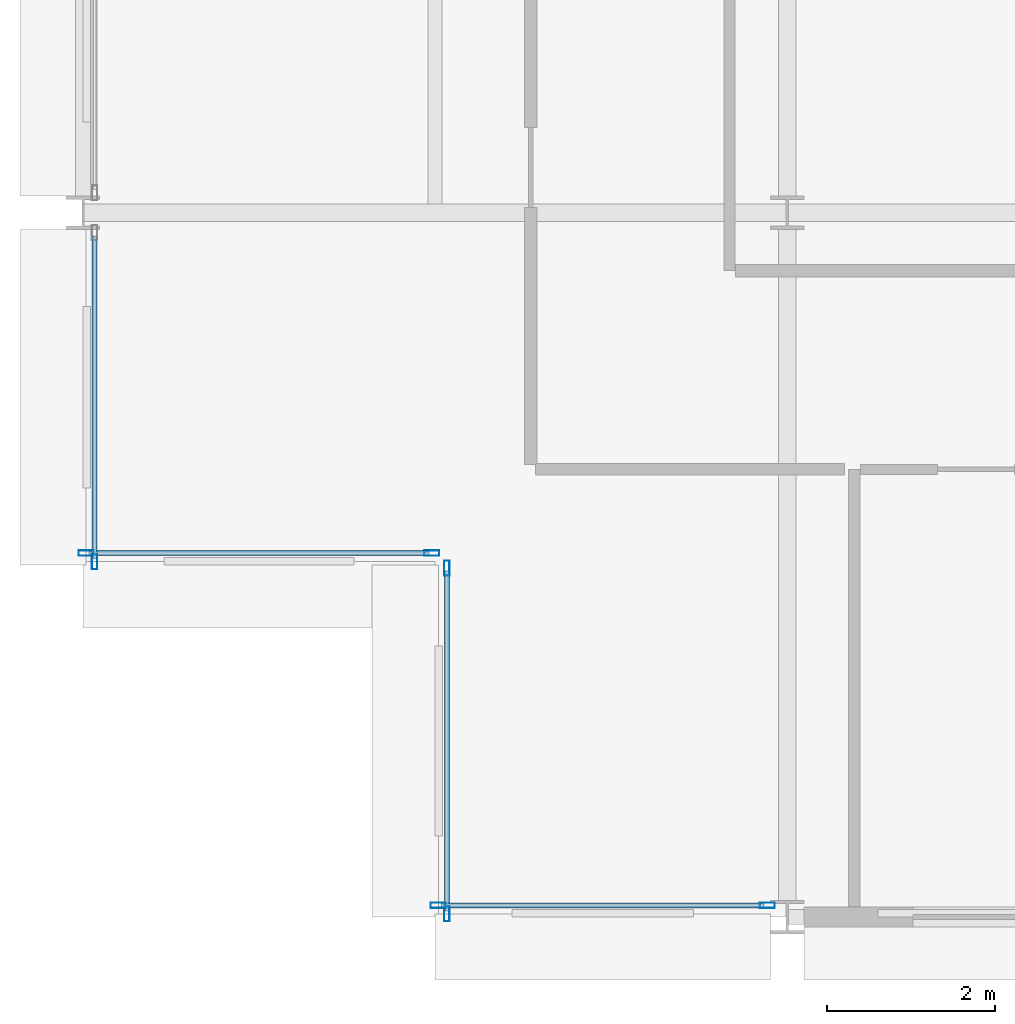
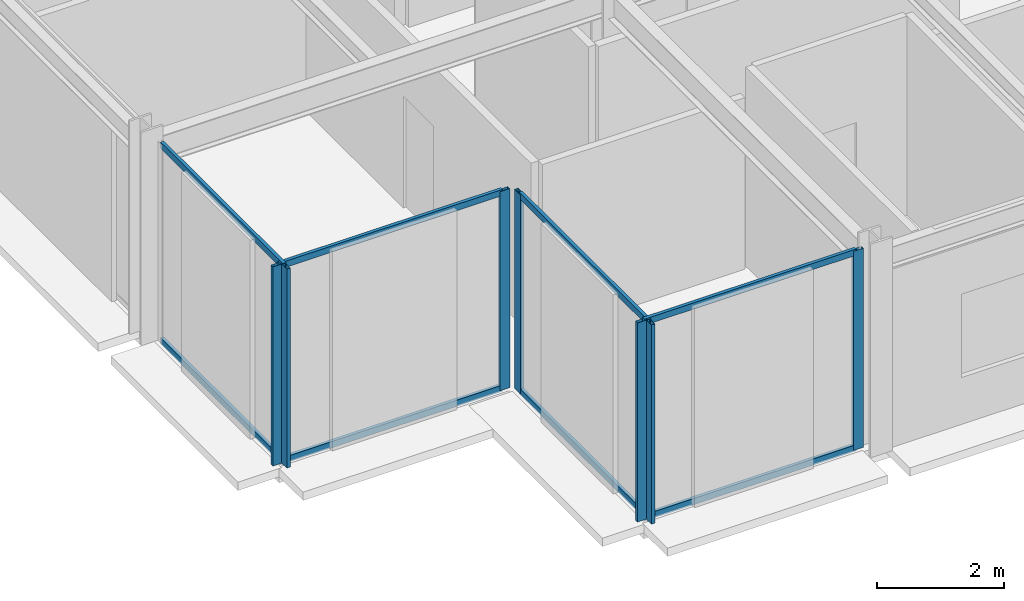
# One storey, part 4 of 39: 15 members, 4 elements without a shape of their own.
"""IFC4 building model written with IfcOpenShell, lengths in metres."""

from ifc_helpers import new_model, si_unit, direction, frame, origin, origin_2d, place, context, subcontext, project, spatial, hollow_rectangle, extrude, material, layer, layer_set, material_profile, profile_set, type_object, element, aggregate, save


model = new_model("IFC4")

# Units and contexts
model_context = context("Model", 3, precision=1e-05, world=origin(), true_north=direction((0.0, 1.0)))
body_context = subcontext(model_context, "Body", "Model", "MODEL_VIEW")
ifc_project = project(units=[si_unit("LENGTHUNIT", "METRE"), si_unit("AREAUNIT", "SQUARE_METRE"), si_unit("VOLUMEUNIT", "CUBIC_METRE"), si_unit("PLANEANGLEUNIT", "RADIAN"), si_unit("MASSUNIT", "GRAM", prefix="KILO")], contexts=[model_context])

# Site, building, storey
site_placement = place(None, origin())
site = spatial("IfcSite", under=ifc_project, at=site_placement, CompositionType="ELEMENT")
building_placement = place(site_placement, origin())
building = spatial("IfcBuilding", under=site, at=building_placement, Name="Nerrivon Quay Data Exchange", CompositionType="ELEMENT")
storey_placement = place(building_placement, frame((0.0, 0.0, 104.89990234375)))
storey = spatial("IfcBuildingStorey", under=building, at=storey_placement, Name="L24", CompositionType="ELEMENT", Elevation=104.89990234375)

# Curtain wall, members
ifc_material = material(Name="Anodised aluminium 6063-T6", Category="aluminium")
ifc_layer = layer(ifc_material, 0.2099609375)
ifc_layer_set = layer_set([ifc_layer], Name="Anodised aluminium 6063-T6")
curtain_wall_type = type_object("IfcCurtainWallType", Name="CW-SYS-02", PredefinedType="NOTDEFINED", material=ifc_layer_set)
curtain_wall_1_placement = place(storey_placement, origin())
curtain_wall_1 = element("IfcCurtainWall", 1, at=curtain_wall_1_placement, inside=storey, type_object=curtain_wall_type, Name="L24 Unitised Curtain Wall 14", PredefinedType="NOTDEFINED")
ifc_material_profile_1 = material_profile(ifc_material, hollow_rectangle(XDim=0.06494140625, YDim=0.179931640625, WallThickness=0.00341796875, at=origin_2d()), Name="ALU-MULL-180x65")
ifc_profile_set_1 = profile_set([ifc_material_profile_1], Name="Anodised aluminium 6063-T6")
member_type_1 = type_object("IfcMemberType", Name="CWM-180x65", PredefinedType="MULLION", material=ifc_profile_set_1)
member_1_placement = place(storey_placement, frame((8.16259765625, 0.139892578125, 0.0), z_axis=(0.0, 0.0, 1.0), x_axis=(0.0, -1.0, 0.0)))
member_1 = element("IfcMember", 2, at=member_1_placement, type_object=member_type_1, Name="CW02 mullion 1", PredefinedType="MULLION", context=body_context, shape_type="SweptSolid", body=[
    extrude(hollow_rectangle(XDim=0.06494140625, YDim=0.179931640625, WallThickness=0.00341796875, at=origin_2d()), origin(), (0.0, 0.0, 1.0), 3.8251953125),
])
member_2_placement = place(storey_placement, frame((4.237548828125, 0.139892578125, 0.0), z_axis=(0.0, 0.0, 1.0), x_axis=(0.0, -1.0, 0.0)))
member_2 = element("IfcMember", 3, at=member_2_placement, type_object=member_type_1, Name="CW02 mullion 2", PredefinedType="MULLION", context=body_context, shape_type="SweptSolid", body=[
    extrude(hollow_rectangle(XDim=0.06494140625, YDim=0.179931640625, WallThickness=0.00341796875, at=origin_2d()), origin(), (0.0, 0.0, 1.0), 3.8251953125),
])

curtain_wall_2_placement = place(storey_placement, origin())
curtain_wall_2 = element("IfcCurtainWall", 4, at=curtain_wall_2_placement, inside=storey, type_object=curtain_wall_type, Name="L24 Unitised Curtain Wall 15", PredefinedType="NOTDEFINED")
member_3_placement = place(storey_placement, frame((4.340087890625, 0.03759765625, 0.0), z_axis=(0.0, 0.0, 1.0), x_axis=(-1.0, 0.0, 0.0)))
member_3 = element("IfcMember", 5, at=member_3_placement, type_object=member_type_1, Name="CW02 mullion 1", PredefinedType="MULLION", context=body_context, shape_type="SweptSolid", body=[
    extrude(hollow_rectangle(XDim=0.06494140625, YDim=0.179931640625, WallThickness=0.00341796875, at=origin_2d()), origin(), (0.0, 0.0, 1.0), 3.8251953125),
])
member_4_placement = place(storey_placement, frame((4.340087890625, 4.16259765625, 0.0), z_axis=(0.0, 0.0, 1.0), x_axis=(-1.0, 0.0, 0.0)))
member_4 = element("IfcMember", 6, at=member_4_placement, type_object=member_type_1, Name="CW02 mullion 2", PredefinedType="MULLION", context=body_context, shape_type="SweptSolid", body=[
    extrude(hollow_rectangle(XDim=0.06494140625, YDim=0.179931640625, WallThickness=0.00341796875, at=origin_2d()), origin(), (0.0, 0.0, 1.0), 3.8251953125),
])

curtain_wall_3_placement = place(storey_placement, origin())
curtain_wall_3 = element("IfcCurtainWall", 7, at=curtain_wall_3_placement, inside=storey, type_object=curtain_wall_type, Name="L24 Unitised Curtain Wall 16", PredefinedType="NOTDEFINED")
member_5_placement = place(storey_placement, frame((4.16259765625, 4.340087890625, 0.0), z_axis=(0.0, 0.0, 1.0), x_axis=(0.0, -1.0, 0.0)))
member_5 = element("IfcMember", 8, at=member_5_placement, type_object=member_type_1, Name="CW02 mullion 1", PredefinedType="MULLION", context=body_context, shape_type="SweptSolid", body=[
    extrude(hollow_rectangle(XDim=0.06494140625, YDim=0.179931640625, WallThickness=0.00341796875, at=origin_2d()), origin(), (0.0, 0.0, 1.0), 3.8251953125),
])
member_6_placement = place(storey_placement, frame((0.03759765625, 4.340087890625, 0.0), z_axis=(0.0, 0.0, 1.0), x_axis=(0.0, -1.0, 0.0)))
member_6 = element("IfcMember", 9, at=member_6_placement, type_object=member_type_1, Name="CW02 mullion 2", PredefinedType="MULLION", context=body_context, shape_type="SweptSolid", body=[
    extrude(hollow_rectangle(XDim=0.06494140625, YDim=0.179931640625, WallThickness=0.00341796875, at=origin_2d()), origin(), (0.0, 0.0, 1.0), 3.8251953125),
])

# Curtain wall, member
curtain_wall_4_placement = place(storey_placement, origin())
curtain_wall_4 = element("IfcCurtainWall", 10, at=curtain_wall_4_placement, inside=storey, type_object=curtain_wall_type, Name="L24 Unitised Curtain Wall 17", PredefinedType="NOTDEFINED")
member_7_placement = place(storey_placement, frame((0.139892578125, 4.237548828125, 0.0), z_axis=(0.0, 0.0, 1.0), x_axis=(-1.0, 0.0, 0.0)))
member_7 = element("IfcMember", 11, at=member_7_placement, type_object=member_type_1, Name="CW02 mullion 1", PredefinedType="MULLION", context=body_context, shape_type="SweptSolid", body=[
    extrude(hollow_rectangle(XDim=0.06494140625, YDim=0.179931640625, WallThickness=0.00341796875, at=origin_2d()), origin(), (0.0, 0.0, 1.0), 3.8251953125),
])

# Member
ifc_material_profile_2 = material_profile(ifc_material, hollow_rectangle(XDim=0.06005859375, YDim=0.1201171875, WallThickness=0.003173828125, at=origin_2d()), Name="ALU-TRAN-120x60")
ifc_profile_set_2 = profile_set([ifc_material_profile_2], Name="Anodised aluminium 6063-T6")
member_type_2 = type_object("IfcMemberType", Name="CWT-120x60", PredefinedType="USERDEFINED", material=ifc_profile_set_2)
member_8_placement = place(storey_placement, frame((8.125, 0.139892578125, 0.03271484375), z_axis=(-1.0, 0.0, 0.0), x_axis=(0.0, -1.0, 0.0)))
member_8 = element("IfcMember", 12, at=member_8_placement, type_object=member_type_2, Name="CW02 transom 1.1", ObjectType="TRANSOM", PredefinedType="USERDEFINED", context=body_context, shape_type="SweptSolid", body=[
    extrude(hollow_rectangle(XDim=0.06005859375, YDim=0.1201171875, WallThickness=0.003173828125, at=origin_2d()), origin(), (0.0, 0.0, 1.0), 3.85009765625),
])

member_9_placement = place(storey_placement, frame((8.125, 0.139892578125, 3.79248046875), z_axis=(-1.0, 0.0, 0.0), x_axis=(0.0, -1.0, 0.0)))
member_9 = element("IfcMember", 13, at=member_9_placement, type_object=member_type_2, Name="CW02 transom 1.2", ObjectType="TRANSOM", PredefinedType="USERDEFINED", context=body_context, shape_type="SweptSolid", body=[
    extrude(hollow_rectangle(XDim=0.06005859375, YDim=0.1201171875, WallThickness=0.003173828125, at=origin_2d()), origin(), (0.0, 0.0, 1.0), 3.85009765625),
])

aggregate(curtain_wall_1, [member_1, member_2, member_8, member_9])

member_10_placement = place(storey_placement, frame((4.340087890625, 0.074951171875, 0.03271484375), z_axis=(0.0, 1.0, 0.0), x_axis=(-1.0, 0.0, 0.0)))
member_10 = element("IfcMember", 14, at=member_10_placement, type_object=member_type_2, Name="CW02 transom 1.1", ObjectType="TRANSOM", PredefinedType="USERDEFINED", context=body_context, shape_type="SweptSolid", body=[
    extrude(hollow_rectangle(XDim=0.06005859375, YDim=0.1201171875, WallThickness=0.003173828125, at=origin_2d()), origin(), (0.0, 0.0, 1.0), 4.050048828125),
])

member_11_placement = place(storey_placement, frame((4.340087890625, 0.074951171875, 3.79248046875), z_axis=(0.0, 1.0, 0.0), x_axis=(-1.0, 0.0, 0.0)))
member_11 = element("IfcMember", 15, at=member_11_placement, type_object=member_type_2, Name="CW02 transom 1.2", ObjectType="TRANSOM", PredefinedType="USERDEFINED", context=body_context, shape_type="SweptSolid", body=[
    extrude(hollow_rectangle(XDim=0.06005859375, YDim=0.1201171875, WallThickness=0.003173828125, at=origin_2d()), origin(), (0.0, 0.0, 1.0), 4.050048828125),
])

aggregate(curtain_wall_2, [member_3, member_4, member_10, member_11])

member_12_placement = place(storey_placement, frame((4.125, 4.340087890625, 0.03271484375), z_axis=(-1.0, 0.0, 0.0), x_axis=(0.0, -1.0, 0.0)))
member_12 = element("IfcMember", 16, at=member_12_placement, type_object=member_type_2, Name="CW02 transom 1.1", ObjectType="TRANSOM", PredefinedType="USERDEFINED", context=body_context, shape_type="SweptSolid", body=[
    extrude(hollow_rectangle(XDim=0.06005859375, YDim=0.1201171875, WallThickness=0.003173828125, at=origin_2d()), origin(), (0.0, 0.0, 1.0), 4.050048828125),
])

member_13_placement = place(storey_placement, frame((4.125, 4.340087890625, 3.79248046875), z_axis=(-1.0, 0.0, 0.0), x_axis=(0.0, -1.0, 0.0)))
member_13 = element("IfcMember", 17, at=member_13_placement, type_object=member_type_2, Name="CW02 transom 1.2", ObjectType="TRANSOM", PredefinedType="USERDEFINED", context=body_context, shape_type="SweptSolid", body=[
    extrude(hollow_rectangle(XDim=0.06005859375, YDim=0.1201171875, WallThickness=0.003173828125, at=origin_2d()), origin(), (0.0, 0.0, 1.0), 4.050048828125),
])

aggregate(curtain_wall_3, [member_5, member_6, member_12, member_13])

member_14_placement = place(storey_placement, frame((0.139892578125, 4.27490234375, 0.03271484375), z_axis=(0.0, 1.0, 0.0), x_axis=(-1.0, 0.0, 0.0)))
member_14 = element("IfcMember", 18, at=member_14_placement, type_object=member_type_2, Name="CW02 transom 1.1", ObjectType="TRANSOM", PredefinedType="USERDEFINED", context=body_context, shape_type="SweptSolid", body=[
    extrude(hollow_rectangle(XDim=0.06005859375, YDim=0.1201171875, WallThickness=0.003173828125, at=origin_2d()), origin(), (0.0, 0.0, 1.0), 3.85009765625),
])

member_15_placement = place(storey_placement, frame((0.139892578125, 4.27490234375, 3.79248046875), z_axis=(0.0, 1.0, 0.0), x_axis=(-1.0, 0.0, 0.0)))
member_15 = element("IfcMember", 19, at=member_15_placement, type_object=member_type_2, Name="CW02 transom 1.2", ObjectType="TRANSOM", PredefinedType="USERDEFINED", context=body_context, shape_type="SweptSolid", body=[
    extrude(hollow_rectangle(XDim=0.06005859375, YDim=0.1201171875, WallThickness=0.003173828125, at=origin_2d()), origin(), (0.0, 0.0, 1.0), 3.85009765625),
])

aggregate(curtain_wall_4, [member_7, member_14, member_15])

save(model, "model.ifc")
